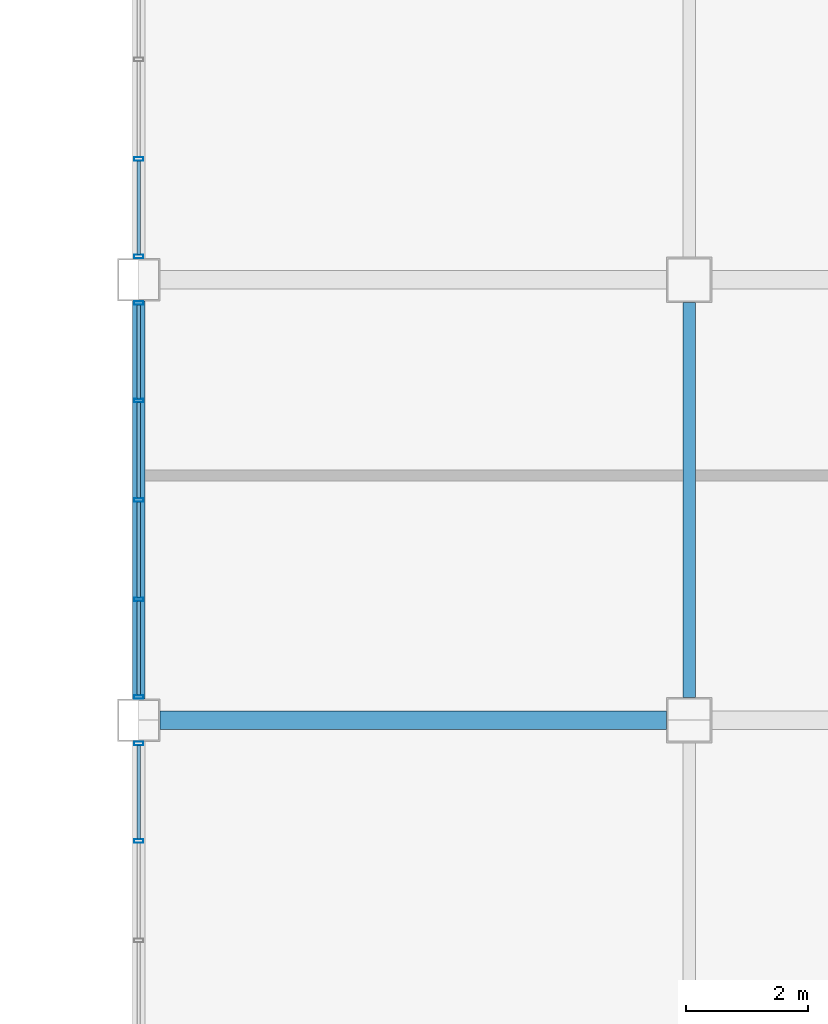
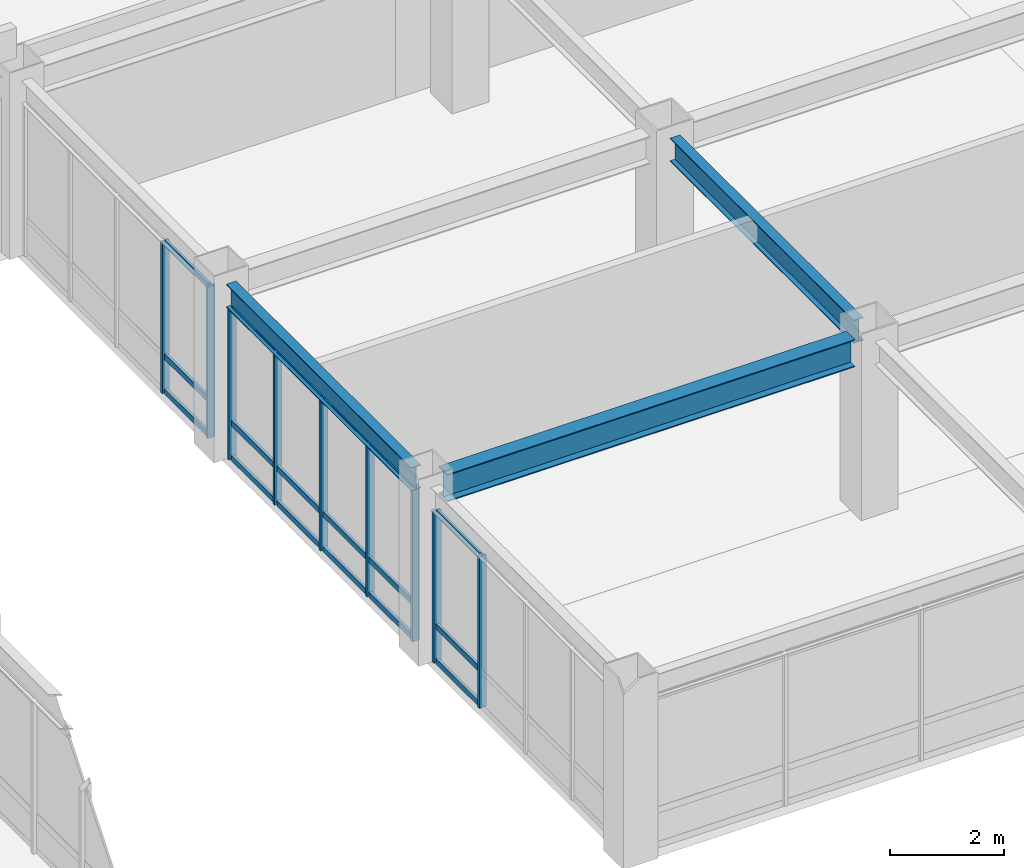
# One storey, part 49 of 122: 27 members, 3 beams, 3 elements without a shape of their own.
"""IFC4 building model written with IfcOpenShell, lengths in metres."""

from ifc_helpers import new_model, si_unit, direction, frame, origin, origin_2d, place, context, subcontext, project, spatial, hollow_rectangle, i_section, extrude, material, material_profile, profile_set, type_object, element, aggregate, save


model = new_model("IFC4")

# Units and contexts
model_context = context("Model", 3, precision=1e-05, world=origin(), true_north=direction((0.0, 1.0)))
body_context = subcontext(model_context, "Body", "Model", "MODEL_VIEW")
ifc_project = project(units=[si_unit("LENGTHUNIT", "METRE"), si_unit("AREAUNIT", "SQUARE_METRE"), si_unit("VOLUMEUNIT", "CUBIC_METRE"), si_unit("PLANEANGLEUNIT", "RADIAN"), si_unit("MASSUNIT", "GRAM", prefix="KILO")], contexts=[model_context])

# Site, building, storey
site_placement = place(None, origin())
site = spatial("IfcSite", under=ifc_project, at=site_placement, CompositionType="ELEMENT")
building_placement = place(site_placement, origin())
building = spatial("IfcBuilding", under=site, at=building_placement, Name="Kazanami Central Library", CompositionType="ELEMENT")
storey_placement = place(building_placement, frame((0.0, 0.0, 4.800048828125)))
storey = spatial("IfcBuildingStorey", under=building, at=storey_placement, Name="L02", CompositionType="ELEMENT", Elevation=4.800048828125)

# Beams
ifc_material_1 = material(Name="Steel SN490B (325 MPa)", Category="steel")
ifc_material_profile_1 = material_profile(ifc_material_1, i_section(OverallWidth=0.300048828125, OverallDepth=0.587890625, WebThickness=0.011962890625, FlangeThickness=0.02001953125, at=origin_2d()), Name="H-588x300x12x20")
ifc_profile_set_1 = profile_set([ifc_material_profile_1], Name="Steel SN490B (325 MPa)")
beam_type_1 = type_object("IfcBeamType", Name="BM-G-X2", PredefinedType="BEAM", material=ifc_profile_set_1)
beam_1_placement = place(storey_placement, frame((117.347900390625, 50.39990234375, 3.4609375), z_axis=(1.0, 0.0, 0.0), x_axis=(0.0, 1.0, 0.0)))
element("IfcBeam", 1, at=beam_1_placement, inside=storey, type_object=beam_type_1, Name="Girder G-X2 L02 H/14-15", PredefinedType="BEAM", context=body_context, shape_type="SweptSolid", body=[
    extrude(i_section(OverallWidth=0.300048828125, OverallDepth=0.587890625, WebThickness=0.011962890625, FlangeThickness=0.02001953125, at=origin_2d()), origin(), (0.0, 0.0, 1.0), 8.279052734375),
])
ifc_material_profile_2 = material_profile(ifc_material_1, i_section(OverallWidth=0.199951171875, OverallDepth=0.5, WebThickness=0.010009765625, FlangeThickness=0.01611328125, at=origin_2d()), Name="H-500x200x10x16")
ifc_profile_set_2 = profile_set([ifc_material_profile_2], Name="Steel SN490B (325 MPa)")
beam_type_2 = type_object("IfcBeamType", Name="BM-G-Y2", PredefinedType="BEAM", material=ifc_profile_set_2)
beam_2_placement = place(storey_placement, frame((126.0, 50.77294921875, 3.5048828125), z_axis=(0.0, 1.0, 0.0), x_axis=(-1.0, 0.0, 0.0)))
element("IfcBeam", 2, at=beam_2_placement, inside=storey, type_object=beam_type_2, Name="Girder G-Y2 L02 15/H-J", PredefinedType="BEAM", context=body_context, shape_type="SweptSolid", body=[
    extrude(i_section(OverallWidth=0.199951171875, OverallDepth=0.5, WebThickness=0.010009765625, FlangeThickness=0.01611328125, at=origin_2d()), origin(), (0.0, 0.0, 1.0), 6.4541015625),
])
ifc_material_profile_3 = material_profile(ifc_material_1, i_section(OverallWidth=0.199951171875, OverallDepth=0.5, WebThickness=0.010009765625, FlangeThickness=0.01611328125, at=origin_2d()), Name="H-500x200x10x16")
ifc_profile_set_3 = profile_set([ifc_material_profile_3], Name="Steel SN490B (325 MPa)")
beam_type_3 = type_object("IfcBeamType", Name="BM-SP-1", PredefinedType="SPANDREL", material=ifc_profile_set_3)
beam_3_placement = place(storey_placement, frame((117.0, 50.748046875, 3.5048828125), z_axis=(0.0, 1.0, 0.0), x_axis=(-1.0, 0.0, 0.0)))
element("IfcBeam", 3, at=beam_3_placement, inside=storey, type_object=beam_type_3, Name="Girder SP-1 L02 14/H-J", PredefinedType="SPANDREL", context=body_context, shape_type="SweptSolid", body=[
    extrude(i_section(OverallWidth=0.199951171875, OverallDepth=0.5, WebThickness=0.010009765625, FlangeThickness=0.01611328125, at=origin_2d()), origin(), (0.0, 0.0, 1.0), 6.50390625),
])

# Curtain wall, members
ifc_material_2 = material(Name="Acid-Etched Low-E Laminated Glass", Category="glass")
curtain_wall_type = type_object("IfcCurtainWallType", Name="CW-6500x3255-M180", PredefinedType="USERDEFINED", material=ifc_material_2)
curtain_wall_1_placement = place(storey_placement, origin())
curtain_wall_1 = element("IfcCurtainWall", 4, at=curtain_wall_1_placement, inside=storey, type_object=curtain_wall_type, Name="Covered Link Bridge Curtain Wall CW-23 L02 W-14-06", ObjectType="UNITISED CURTAIN WALL", PredefinedType="USERDEFINED")
ifc_material_3 = material(Name="Anodised Aluminium A6063-T5", Category="aluminium")
ifc_material_profile_4 = material_profile(ifc_material_3, hollow_rectangle(XDim=0.06005859375, YDim=0.14990234375, WallThickness=0.00390625, at=origin_2d()), Name="ALU-MULL-60x150x4")
ifc_profile_set_4 = profile_set([ifc_material_profile_4], Name="Anodised Aluminium A6063-T5")
member_type_1 = type_object("IfcMemberType", Name="MEM-CW-M3", PredefinedType="MULLION", material=ifc_profile_set_4)
member_1_placement = place(storey_placement, frame((117.0, 48.425048828125, 0.0), z_axis=(0.0, 0.0, 1.0), x_axis=(0.0, 1.0, 0.0)))
member_1 = element("IfcMember", 5, at=member_1_placement, type_object=member_type_1, Name="CW-23 mullion 4", PredefinedType="MULLION", context=body_context, shape_type="SweptSolid", body=[
    extrude(hollow_rectangle(XDim=0.06005859375, YDim=0.14990234375, WallThickness=0.00390625, at=origin_2d()), origin(), (0.0, 0.0, 1.0), 3.2548828125),
])
member_2_placement = place(storey_placement, frame((117.0, 50.02001953125, 0.0), z_axis=(0.0, 0.0, 1.0), x_axis=(0.0, 1.0, 0.0)))
member_2 = element("IfcMember", 6, at=member_2_placement, type_object=member_type_1, Name="CW-23 mullion 5", PredefinedType="MULLION", context=body_context, shape_type="SweptSolid", body=[
    extrude(hollow_rectangle(XDim=0.06005859375, YDim=0.14990234375, WallThickness=0.00390625, at=origin_2d()), origin(), (0.0, 0.0, 1.0), 3.2548828125),
])

curtain_wall_2_placement = place(storey_placement, origin())
curtain_wall_2 = element("IfcCurtainWall", 7, at=curtain_wall_2_placement, inside=storey, type_object=curtain_wall_type, Name="Covered Link Bridge Curtain Wall CW-23 L02 W-14-07", ObjectType="UNITISED CURTAIN WALL", PredefinedType="USERDEFINED")
member_3_placement = place(storey_placement, frame((117.0, 50.780029296875, 0.0), z_axis=(0.0, 0.0, 1.0), x_axis=(0.0, 1.0, 0.0)))
member_3 = element("IfcMember", 8, at=member_3_placement, type_object=member_type_1, Name="CW-23 mullion 1", PredefinedType="MULLION", context=body_context, shape_type="SweptSolid", body=[
    extrude(hollow_rectangle(XDim=0.06005859375, YDim=0.14990234375, WallThickness=0.00390625, at=origin_2d()), origin(), (0.0, 0.0, 1.0), 3.2548828125),
])
member_4_placement = place(storey_placement, frame((117.0, 52.375, 0.0), z_axis=(0.0, 0.0, 1.0), x_axis=(0.0, 1.0, 0.0)))
member_4 = element("IfcMember", 9, at=member_4_placement, type_object=member_type_1, Name="CW-23 mullion 2", PredefinedType="MULLION", context=body_context, shape_type="SweptSolid", body=[
    extrude(hollow_rectangle(XDim=0.06005859375, YDim=0.14990234375, WallThickness=0.00390625, at=origin_2d()), origin(), (0.0, 0.0, 1.0), 3.2548828125),
])
member_5_placement = place(storey_placement, frame((117.0, 54.0, 0.0), z_axis=(0.0, 0.0, 1.0), x_axis=(0.0, 1.0, 0.0)))
member_5 = element("IfcMember", 10, at=member_5_placement, type_object=member_type_1, Name="CW-23 mullion 3", PredefinedType="MULLION", context=body_context, shape_type="SweptSolid", body=[
    extrude(hollow_rectangle(XDim=0.06005859375, YDim=0.14990234375, WallThickness=0.00390625, at=origin_2d()), origin(), (0.0, 0.0, 1.0), 3.2548828125),
])
member_6_placement = place(storey_placement, frame((117.0, 55.625, 0.0), z_axis=(0.0, 0.0, 1.0), x_axis=(0.0, 1.0, 0.0)))
member_6 = element("IfcMember", 11, at=member_6_placement, type_object=member_type_1, Name="CW-23 mullion 4", PredefinedType="MULLION", context=body_context, shape_type="SweptSolid", body=[
    extrude(hollow_rectangle(XDim=0.06005859375, YDim=0.14990234375, WallThickness=0.00390625, at=origin_2d()), origin(), (0.0, 0.0, 1.0), 3.2548828125),
])
member_7_placement = place(storey_placement, frame((117.0, 57.219970703125, 0.0), z_axis=(0.0, 0.0, 1.0), x_axis=(0.0, 1.0, 0.0)))
member_7 = element("IfcMember", 12, at=member_7_placement, type_object=member_type_1, Name="CW-23 mullion 5", PredefinedType="MULLION", context=body_context, shape_type="SweptSolid", body=[
    extrude(hollow_rectangle(XDim=0.06005859375, YDim=0.14990234375, WallThickness=0.00390625, at=origin_2d()), origin(), (0.0, 0.0, 1.0), 3.2548828125),
])

curtain_wall_3_placement = place(storey_placement, origin())
curtain_wall_3 = element("IfcCurtainWall", 13, at=curtain_wall_3_placement, inside=storey, type_object=curtain_wall_type, Name="Covered Link Bridge Curtain Wall CW-23 L02 W-14-08", ObjectType="UNITISED CURTAIN WALL", PredefinedType="USERDEFINED")
member_8_placement = place(storey_placement, frame((117.0, 57.97998046875, 0.0), z_axis=(0.0, 0.0, 1.0), x_axis=(0.0, 1.0, 0.0)))
member_8 = element("IfcMember", 14, at=member_8_placement, type_object=member_type_1, Name="CW-23 mullion 1", PredefinedType="MULLION", context=body_context, shape_type="SweptSolid", body=[
    extrude(hollow_rectangle(XDim=0.06005859375, YDim=0.14990234375, WallThickness=0.00390625, at=origin_2d()), origin(), (0.0, 0.0, 1.0), 3.2548828125),
])
member_9_placement = place(storey_placement, frame((117.0, 59.574951171875, 0.0), z_axis=(0.0, 0.0, 1.0), x_axis=(0.0, 1.0, 0.0)))
member_9 = element("IfcMember", 15, at=member_9_placement, type_object=member_type_1, Name="CW-23 mullion 2", PredefinedType="MULLION", context=body_context, shape_type="SweptSolid", body=[
    extrude(hollow_rectangle(XDim=0.06005859375, YDim=0.14990234375, WallThickness=0.00390625, at=origin_2d()), origin(), (0.0, 0.0, 1.0), 3.2548828125),
])

# Member
ifc_material_profile_5 = material_profile(ifc_material_3, hollow_rectangle(XDim=0.06005859375, YDim=0.1201171875, WallThickness=0.00341796875, at=origin_2d()), Name="ALU-TRAN-60x120x3.5")
ifc_profile_set_5 = profile_set([ifc_material_profile_5], Name="Anodised Aluminium A6063-T5")
member_type_2 = type_object("IfcMemberType", Name="MEM-CW-T3", PredefinedType="USERDEFINED", material=ifc_profile_set_5)
member_10_placement = place(storey_placement, frame((117.0, 48.455078125, 0.030029296875), z_axis=(0.0, 1.0, 0.0), x_axis=(-1.0, 0.0, 0.0)))
member_10 = element("IfcMember", 16, at=member_10_placement, type_object=member_type_2, Name="CW-23 transom 4.1", ObjectType="TRANSOM", PredefinedType="USERDEFINED", context=body_context, shape_type="SweptSolid", body=[
    extrude(hollow_rectangle(XDim=0.06005859375, YDim=0.1201171875, WallThickness=0.00341796875, at=origin_2d()), origin(), (0.0, 0.0, 1.0), 1.534912109375),
])

member_11_placement = place(storey_placement, frame((117.0, 48.455078125, 0.780029296875), z_axis=(0.0, 1.0, 0.0), x_axis=(-1.0, 0.0, 0.0)))
member_11 = element("IfcMember", 17, at=member_11_placement, type_object=member_type_2, Name="CW-23 transom 4.2", ObjectType="TRANSOM", PredefinedType="USERDEFINED", context=body_context, shape_type="SweptSolid", body=[
    extrude(hollow_rectangle(XDim=0.06005859375, YDim=0.1201171875, WallThickness=0.00341796875, at=origin_2d()), origin(), (0.0, 0.0, 1.0), 1.534912109375),
])

member_12_placement = place(storey_placement, frame((117.0, 48.455078125, 3.224853515625), z_axis=(0.0, 1.0, 0.0), x_axis=(-1.0, 0.0, 0.0)))
member_12 = element("IfcMember", 18, at=member_12_placement, type_object=member_type_2, Name="CW-23 transom 4.3", ObjectType="TRANSOM", PredefinedType="USERDEFINED", context=body_context, shape_type="SweptSolid", body=[
    extrude(hollow_rectangle(XDim=0.06005859375, YDim=0.1201171875, WallThickness=0.00341796875, at=origin_2d()), origin(), (0.0, 0.0, 1.0), 1.534912109375),
])

aggregate(curtain_wall_1, [member_1, member_2, member_10, member_11, member_12])

member_13_placement = place(storey_placement, frame((117.0, 50.81005859375, 0.030029296875), z_axis=(0.0, 1.0, 0.0), x_axis=(-1.0, 0.0, 0.0)))
member_13 = element("IfcMember", 19, at=member_13_placement, type_object=member_type_2, Name="CW-23 transom 1.1", ObjectType="TRANSOM", PredefinedType="USERDEFINED", context=body_context, shape_type="SweptSolid", body=[
    extrude(hollow_rectangle(XDim=0.06005859375, YDim=0.1201171875, WallThickness=0.00341796875, at=origin_2d()), origin(), (0.0, 0.0, 1.0), 1.534912109375),
])

member_14_placement = place(storey_placement, frame((117.0, 50.81005859375, 0.780029296875), z_axis=(0.0, 1.0, 0.0), x_axis=(-1.0, 0.0, 0.0)))
member_14 = element("IfcMember", 20, at=member_14_placement, type_object=member_type_2, Name="CW-23 transom 1.2", ObjectType="TRANSOM", PredefinedType="USERDEFINED", context=body_context, shape_type="SweptSolid", body=[
    extrude(hollow_rectangle(XDim=0.06005859375, YDim=0.1201171875, WallThickness=0.00341796875, at=origin_2d()), origin(), (0.0, 0.0, 1.0), 1.534912109375),
])

member_15_placement = place(storey_placement, frame((117.0, 50.81005859375, 3.224853515625), z_axis=(0.0, 1.0, 0.0), x_axis=(-1.0, 0.0, 0.0)))
member_15 = element("IfcMember", 21, at=member_15_placement, type_object=member_type_2, Name="CW-23 transom 1.3", ObjectType="TRANSOM", PredefinedType="USERDEFINED", context=body_context, shape_type="SweptSolid", body=[
    extrude(hollow_rectangle(XDim=0.06005859375, YDim=0.1201171875, WallThickness=0.00341796875, at=origin_2d()), origin(), (0.0, 0.0, 1.0), 1.534912109375),
])

member_16_placement = place(storey_placement, frame((117.0, 52.405029296875, 0.030029296875), z_axis=(0.0, 1.0, 0.0), x_axis=(-1.0, 0.0, 0.0)))
member_16 = element("IfcMember", 22, at=member_16_placement, type_object=member_type_2, Name="CW-23 transom 2.1", ObjectType="TRANSOM", PredefinedType="USERDEFINED", context=body_context, shape_type="SweptSolid", body=[
    extrude(hollow_rectangle(XDim=0.06005859375, YDim=0.1201171875, WallThickness=0.00341796875, at=origin_2d()), origin(), (0.0, 0.0, 1.0), 1.56494140625),
])

member_17_placement = place(storey_placement, frame((117.0, 52.405029296875, 0.780029296875), z_axis=(0.0, 1.0, 0.0), x_axis=(-1.0, 0.0, 0.0)))
member_17 = element("IfcMember", 23, at=member_17_placement, type_object=member_type_2, Name="CW-23 transom 2.2", ObjectType="TRANSOM", PredefinedType="USERDEFINED", context=body_context, shape_type="SweptSolid", body=[
    extrude(hollow_rectangle(XDim=0.06005859375, YDim=0.1201171875, WallThickness=0.00341796875, at=origin_2d()), origin(), (0.0, 0.0, 1.0), 1.56494140625),
])

member_18_placement = place(storey_placement, frame((117.0, 52.405029296875, 3.224853515625), z_axis=(0.0, 1.0, 0.0), x_axis=(-1.0, 0.0, 0.0)))
member_18 = element("IfcMember", 24, at=member_18_placement, type_object=member_type_2, Name="CW-23 transom 2.3", ObjectType="TRANSOM", PredefinedType="USERDEFINED", context=body_context, shape_type="SweptSolid", body=[
    extrude(hollow_rectangle(XDim=0.06005859375, YDim=0.1201171875, WallThickness=0.00341796875, at=origin_2d()), origin(), (0.0, 0.0, 1.0), 1.56494140625),
])

member_19_placement = place(storey_placement, frame((117.0, 54.030029296875, 0.030029296875), z_axis=(0.0, 1.0, 0.0), x_axis=(-1.0, 0.0, 0.0)))
member_19 = element("IfcMember", 25, at=member_19_placement, type_object=member_type_2, Name="CW-23 transom 3.1", ObjectType="TRANSOM", PredefinedType="USERDEFINED", context=body_context, shape_type="SweptSolid", body=[
    extrude(hollow_rectangle(XDim=0.06005859375, YDim=0.1201171875, WallThickness=0.00341796875, at=origin_2d()), origin(), (0.0, 0.0, 1.0), 1.56494140625),
])

member_20_placement = place(storey_placement, frame((117.0, 54.030029296875, 0.780029296875), z_axis=(0.0, 1.0, 0.0), x_axis=(-1.0, 0.0, 0.0)))
member_20 = element("IfcMember", 26, at=member_20_placement, type_object=member_type_2, Name="CW-23 transom 3.2", ObjectType="TRANSOM", PredefinedType="USERDEFINED", context=body_context, shape_type="SweptSolid", body=[
    extrude(hollow_rectangle(XDim=0.06005859375, YDim=0.1201171875, WallThickness=0.00341796875, at=origin_2d()), origin(), (0.0, 0.0, 1.0), 1.56494140625),
])

member_21_placement = place(storey_placement, frame((117.0, 54.030029296875, 3.224853515625), z_axis=(0.0, 1.0, 0.0), x_axis=(-1.0, 0.0, 0.0)))
member_21 = element("IfcMember", 27, at=member_21_placement, type_object=member_type_2, Name="CW-23 transom 3.3", ObjectType="TRANSOM", PredefinedType="USERDEFINED", context=body_context, shape_type="SweptSolid", body=[
    extrude(hollow_rectangle(XDim=0.06005859375, YDim=0.1201171875, WallThickness=0.00341796875, at=origin_2d()), origin(), (0.0, 0.0, 1.0), 1.56494140625),
])

member_22_placement = place(storey_placement, frame((117.0, 55.655029296875, 0.030029296875), z_axis=(0.0, 1.0, 0.0), x_axis=(-1.0, 0.0, 0.0)))
member_22 = element("IfcMember", 28, at=member_22_placement, type_object=member_type_2, Name="CW-23 transom 4.1", ObjectType="TRANSOM", PredefinedType="USERDEFINED", context=body_context, shape_type="SweptSolid", body=[
    extrude(hollow_rectangle(XDim=0.06005859375, YDim=0.1201171875, WallThickness=0.00341796875, at=origin_2d()), origin(), (0.0, 0.0, 1.0), 1.534912109375),
])

member_23_placement = place(storey_placement, frame((117.0, 55.655029296875, 0.780029296875), z_axis=(0.0, 1.0, 0.0), x_axis=(-1.0, 0.0, 0.0)))
member_23 = element("IfcMember", 29, at=member_23_placement, type_object=member_type_2, Name="CW-23 transom 4.2", ObjectType="TRANSOM", PredefinedType="USERDEFINED", context=body_context, shape_type="SweptSolid", body=[
    extrude(hollow_rectangle(XDim=0.06005859375, YDim=0.1201171875, WallThickness=0.00341796875, at=origin_2d()), origin(), (0.0, 0.0, 1.0), 1.534912109375),
])

member_24_placement = place(storey_placement, frame((117.0, 55.655029296875, 3.224853515625), z_axis=(0.0, 1.0, 0.0), x_axis=(-1.0, 0.0, 0.0)))
member_24 = element("IfcMember", 30, at=member_24_placement, type_object=member_type_2, Name="CW-23 transom 4.3", ObjectType="TRANSOM", PredefinedType="USERDEFINED", context=body_context, shape_type="SweptSolid", body=[
    extrude(hollow_rectangle(XDim=0.06005859375, YDim=0.1201171875, WallThickness=0.00341796875, at=origin_2d()), origin(), (0.0, 0.0, 1.0), 1.534912109375),
])

aggregate(curtain_wall_2, [member_3, member_4, member_5, member_6, member_7, member_13, member_14, member_15, member_16, member_17, member_18, member_19, member_20, member_21, member_22, member_23, member_24])

member_25_placement = place(storey_placement, frame((117.0, 58.010009765625, 0.030029296875), z_axis=(0.0, 1.0, 0.0), x_axis=(-1.0, 0.0, 0.0)))
member_25 = element("IfcMember", 31, at=member_25_placement, type_object=member_type_2, Name="CW-23 transom 1.1", ObjectType="TRANSOM", PredefinedType="USERDEFINED", context=body_context, shape_type="SweptSolid", body=[
    extrude(hollow_rectangle(XDim=0.06005859375, YDim=0.1201171875, WallThickness=0.00341796875, at=origin_2d()), origin(), (0.0, 0.0, 1.0), 1.534912109375),
])

member_26_placement = place(storey_placement, frame((117.0, 58.010009765625, 0.780029296875), z_axis=(0.0, 1.0, 0.0), x_axis=(-1.0, 0.0, 0.0)))
member_26 = element("IfcMember", 32, at=member_26_placement, type_object=member_type_2, Name="CW-23 transom 1.2", ObjectType="TRANSOM", PredefinedType="USERDEFINED", context=body_context, shape_type="SweptSolid", body=[
    extrude(hollow_rectangle(XDim=0.06005859375, YDim=0.1201171875, WallThickness=0.00341796875, at=origin_2d()), origin(), (0.0, 0.0, 1.0), 1.534912109375),
])

member_27_placement = place(storey_placement, frame((117.0, 58.010009765625, 3.224853515625), z_axis=(0.0, 1.0, 0.0), x_axis=(-1.0, 0.0, 0.0)))
member_27 = element("IfcMember", 33, at=member_27_placement, type_object=member_type_2, Name="CW-23 transom 1.3", ObjectType="TRANSOM", PredefinedType="USERDEFINED", context=body_context, shape_type="SweptSolid", body=[
    extrude(hollow_rectangle(XDim=0.06005859375, YDim=0.1201171875, WallThickness=0.00341796875, at=origin_2d()), origin(), (0.0, 0.0, 1.0), 1.534912109375),
])

aggregate(curtain_wall_3, [member_8, member_9, member_25, member_26, member_27])

save(model, "model.ifc")
